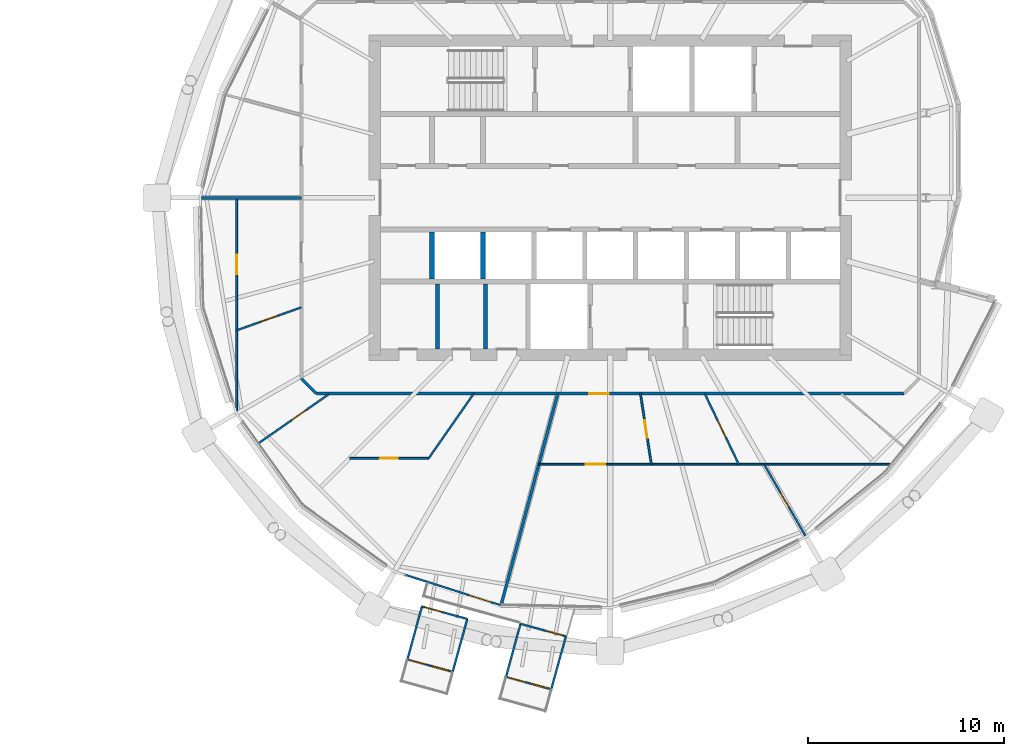
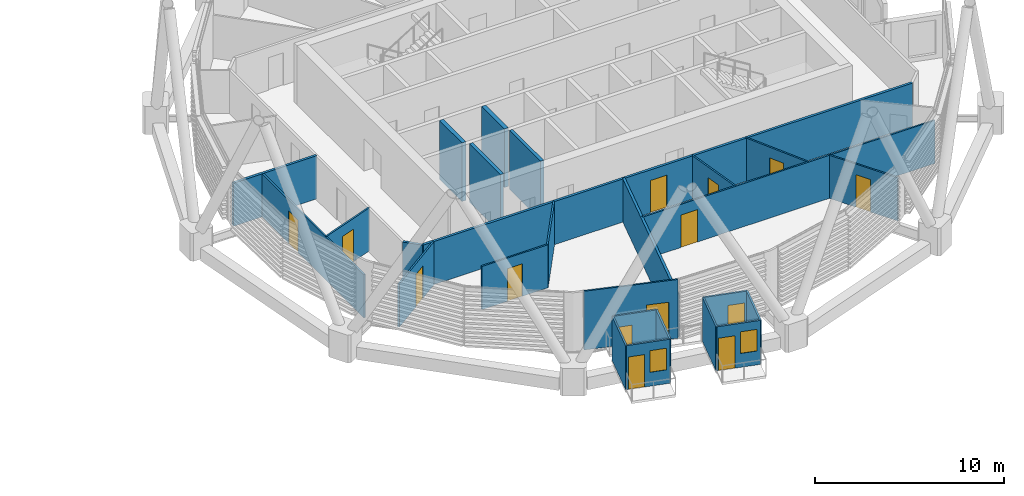
# One storey, part 24 of 37: 27 walls, 14 doors, 2 windows, 16 openings.
"""IFC4 building model written with IfcOpenShell, lengths in metres."""

import ifcopenshell
import ifcopenshell.guid

model = None  # the IFC model being written
_history = None  # IfcOwnerHistory: only IFC2X3 demands one
_inside = {}  # id of a spatial element -> (the spatial element, [elements in it])
_under = {}  # id of a project, library or spatial element -> (it, [spatial elements below it])
_declared = {}  # id of a project -> (the project, [libraries it declares])
_typed = {}  # id of a type object -> (the type object, [elements of that type])
_made_of = {}  # id of a material, layer set ... -> (it, [elements and type objects made of it])


def new_model(schema):
    """Start an empty IFC model of exactly this schema.

    Asked for "IFC4X3", IfcOpenShell would pick the latest addendum, in which some entities
    have other attributes; the version numbers below select the first issue.
    IFC2X3 requires an IfcOwnerHistory on every rooted entity: one is made here for all.
    """
    global model, _history
    if schema == "IFC4X3":
        model = ifcopenshell.file(schema_version=(4, 3, 0, 0))
    else:
        model = ifcopenshell.file(schema=schema)
    _inside.clear()
    _under.clear()
    _declared.clear()
    _typed.clear()
    _made_of.clear()
    _history = None
    if model.schema == "IFC2X3":
        org = make("IfcOrganization", Name="unknown")
        user = make(
            "IfcPersonAndOrganization",
            ThePerson=make("IfcPerson", FamilyName="unknown"),
            TheOrganization=org,
        )
        app = make(
            "IfcApplication",
            ApplicationDeveloper=org,
            Version="unknown",
            ApplicationFullName="unknown",
            ApplicationIdentifier="unknown",
        )
        _history = make(
            "IfcOwnerHistory",
            OwningUser=user,
            OwningApplication=app,
            ChangeAction="ADDED",
            CreationDate=0,
        )
    return model


def make(cls, **values):
    """One entity of the class cls with the attributes given. An attribute that is None is left unset."""
    return model.create_entity(
        cls, **{name: value for name, value in values.items() if value is not None}
    )


def rooted(cls, **values):
    """An entity with a GlobalId (a new one), such as an element, a storey or a relation."""
    return make(cls, GlobalId=ifcopenshell.guid.new(), OwnerHistory=_history, **values)


def si_unit(unit_type, name, prefix=None):
    """IfcSIUnit, for example si_unit("LENGTHUNIT", "METRE", prefix="MILLI")."""
    return make("IfcSIUnit", UnitType=unit_type, Prefix=prefix, Name=name)


def assignment(units):
    """IfcUnitAssignment: the units of a project."""
    return None if units is None else make("IfcUnitAssignment", Units=units)


def point(xyz):
    """IfcCartesianPoint."""
    return None if xyz is None else make("IfcCartesianPoint", Coordinates=xyz)


def direction(xyz):
    """IfcDirection."""
    return None if xyz is None else make("IfcDirection", DirectionRatios=xyz)


def frame(location, z_axis=None, x_axis=None):
    """IfcAxis2Placement3D, a coordinate frame: its origin and axes. An axis left out is left unset."""
    return make(
        "IfcAxis2Placement3D",
        Location=point(location),
        Axis=direction(z_axis),
        RefDirection=direction(x_axis),
    )


def frame_2d(location, x_axis=None):
    """IfcAxis2Placement2D, a coordinate frame in the plane: its origin and x axis."""
    return make(
        "IfcAxis2Placement2D", Location=point(location), RefDirection=direction(x_axis)
    )


def origin():
    """The frame at (0, 0, 0) with its axes left unset."""
    return frame((0.0, 0.0, 0.0))


def place(relative_to, where):
    """IfcLocalPlacement: puts the frame where relative to a parent placement (None: the world)."""
    return make(
        "IfcLocalPlacement", PlacementRelTo=relative_to, RelativePlacement=where
    )


def context(
    kind, dimensions, precision=None, world=None, true_north=None, identifier=None
):
    """IfcGeometricRepresentationContext, for example the 3D "Model" context."""
    return make(
        "IfcGeometricRepresentationContext",
        ContextIdentifier=identifier,
        ContextType=kind,
        CoordinateSpaceDimension=dimensions,
        Precision=precision,
        WorldCoordinateSystem=world,
        TrueNorth=true_north,
    )


def subcontext(parent, identifier, kind, view, scale=None):
    """IfcGeometricRepresentationSubContext, for example "Body" below "Model"."""
    return make(
        "IfcGeometricRepresentationSubContext",
        ContextIdentifier=identifier,
        ContextType=kind,
        ParentContext=parent,
        TargetScale=scale,
        TargetView=view,
    )


def project(units=None, contexts=None):
    """IfcProject with its units and contexts."""
    return rooted(
        "IfcProject",
        Name="project",
        RepresentationContexts=contexts,
        UnitsInContext=assignment(units),
    )


def spatial(cls, under=None, at=None, **own):
    """A site, building, storey or space (cls), placed at a placement, below another one or the project."""
    s = rooted(cls, ObjectPlacement=at, **own)
    if under is not None:
        _under.setdefault(under.id(), (under, []))[1].append(s)
    return s


def profile(cls, at=None, kind="AREA", **sizes):
    """A parametric profile (cls). Its sizes go by their IFC names, for example OverallWidth=200.0."""
    return make(cls, ProfileType=kind, Position=at, **sizes)


def rectangle(**sizes):
    """IfcRectangleProfileDef."""
    return profile("IfcRectangleProfileDef", **sizes)


def extrude(swept, where, along, depth):
    """IfcExtrudedAreaSolid: the profile swept, set in the frame where, extruded along a direction by depth."""
    return make(
        "IfcExtrudedAreaSolid",
        SweptArea=swept,
        Position=where,
        ExtrudedDirection=direction(along),
        Depth=depth,
    )


def shape(context_of_items, identifier, shape_type, items):
    """IfcShapeRepresentation: the items that make up one representation, for example the "Body"."""
    return make(
        "IfcShapeRepresentation",
        ContextOfItems=context_of_items,
        RepresentationIdentifier=identifier,
        RepresentationType=shape_type,
        Items=items,
    )


def material(Name=None, Category=None):
    """IfcMaterial."""
    return make("IfcMaterial", Name=Name, Category=Category)


def layer(
    of_material, thickness, ventilated=None, Name=None, Category=None, Priority=None
):
    """IfcMaterialLayer: one layer of a wall or slab, of a material (None: an air gap)."""
    return make(
        "IfcMaterialLayer",
        Material=of_material,
        LayerThickness=thickness,
        IsVentilated=ventilated,
        Name=Name,
        Category=Category,
        Priority=Priority,
    )


def layer_set(layers, Name=None):
    """IfcMaterialLayerSet."""
    return make("IfcMaterialLayerSet", MaterialLayers=layers, LayerSetName=Name)


def made_of(thing, what):
    """Note that an element or type object is made of a material, layer set ...; save() writes the relation."""
    if what is not None:
        _made_of.setdefault(what.id(), (what, []))[1].append(thing)
    return thing


def type_object(cls, material=None, **own):
    """A type object (cls), such as IfcWallType, which elements share."""
    return made_of(rooted(cls, **own), material)


def element(
    cls,
    number,
    at=None,
    inside=None,
    cuts=None,
    type_object=None,
    material=None,
    context=None,
    identifier="Body",
    shape_type=None,
    held_by="IfcProductDefinitionShape",
    body=None,
    shapes=None,
    **own,
):
    """One element of the class cls, such as IfcWall. Its Tag is "e" and its number.

    at: its placement. inside: the storey or other place that contains it. cuts: it is an
    opening in that element (IfcRelVoidsElement). A single representation is given by context,
    identifier, shape_type and body (its items); several are given by shapes. held_by: the class
    of the entity that holds the representations. save() writes the other relations.
    """
    e = rooted(cls, Tag="e%d" % number, ObjectPlacement=at, **own)
    if body is not None:
        shapes = [shape(context, identifier, shape_type, body)]
    if shapes is not None:
        e.Representation = make(held_by, Representations=shapes)
    if inside is not None:
        _inside.setdefault(inside.id(), (inside, []))[1].append(e)
    if cuts is not None:
        rooted(
            "IfcRelVoidsElement", RelatingBuildingElement=cuts, RelatedOpeningElement=e
        )
    if type_object is not None:
        _typed.setdefault(type_object.id(), (type_object, []))[1].append(e)
    return made_of(e, material)


def fill(opening, filler):
    """IfcRelFillsElement: the door or window that sits in an opening."""
    return rooted(
        "IfcRelFillsElement",
        RelatingOpeningElement=opening,
        RelatedBuildingElement=filler,
    )


def aggregate(whole, parts):
    """IfcRelAggregates: a whole, such as a stair, and the parts it consists of."""
    return rooted("IfcRelAggregates", RelatingObject=whole, RelatedObjects=parts)


def save(model, path):
    """Write the relations noted so far, then the file.

    IfcRelAggregates (storeys below a building ...), IfcRelContainedInSpatialStructure (elements
    in a storey), IfcRelDefinesByType, IfcRelAssociatesMaterial and IfcRelDeclares: one each for
    every whole, place, type object, material and project.
    """
    for whole, parts in _under.values():
        aggregate(whole, parts)
    for where, things in _inside.values():
        rooted(
            "IfcRelContainedInSpatialStructure",
            RelatedElements=things,
            RelatingStructure=where,
        )
    for kind, things in _typed.values():
        rooted("IfcRelDefinesByType", RelatedObjects=things, RelatingType=kind)
    for what, things in _made_of.values():
        rooted("IfcRelAssociatesMaterial", RelatedObjects=things, RelatingMaterial=what)
    for by, libraries in _declared.values():
        rooted("IfcRelDeclares", RelatingContext=by, RelatedDefinitions=libraries)
    model.write(path)


model = new_model("IFC4")

# Units and contexts
model_context = context("Model", 3, precision=1e-05, world=origin(), true_north=direction((0.0, 1.0)))
body_context = subcontext(model_context, "Body", "Model", "MODEL_VIEW")
ifc_project = project(units=[si_unit("LENGTHUNIT", "METRE"), si_unit("AREAUNIT", "SQUARE_METRE"), si_unit("VOLUMEUNIT", "CUBIC_METRE"), si_unit("PLANEANGLEUNIT", "RADIAN"), si_unit("MASSUNIT", "GRAM", prefix="KILO")], contexts=[model_context])

# Site, building, storey
site_placement = place(None, origin())
site = spatial("IfcSite", under=ifc_project, at=site_placement, CompositionType="ELEMENT")
building_placement = place(site_placement, origin())
building = spatial("IfcBuilding", under=site, at=building_placement, Name="Rimbun Link Towers", CompositionType="ELEMENT")
storey_placement = place(building_placement, frame((0.0, 0.0, 170.300048828125)))
storey = spatial("IfcBuildingStorey", under=building, at=storey_placement, Name="L41", CompositionType="ELEMENT", Elevation=170.300048828125)

# Wall, openings, door, window
ifc_material_1 = material(Name="Terracotta-faced insulated sandwich panel", Category="masonry")
ifc_layer_1 = layer(ifc_material_1, 0.10009765625)
ifc_layer_set_1 = layer_set([ifc_layer_1], Name="CAPSULE entrance panel 100")
wall_type_1 = type_object("IfcWallType", Name="CAPSULE entrance panel 100", PredefinedType="STANDARD", material=ifc_layer_set_1)
wall_1_placement = place(storey_placement, frame((26.435791015625, -24.40576171875, 0.0), z_axis=(0.0, 0.0, 1.0), x_axis=(0.964309344108, -0.26477818805, 0.0)))
wall_1 = element("IfcWall", 1, at=wall_1_placement, inside=storey, type_object=wall_type_1, Name="CAPSULE D412.01 shell panel 2", PredefinedType="STANDARD", context=body_context, shape_type="SweptSolid", body=[
    extrude(rectangle(XDim=2.400146484375, YDim=0.10009765625, at=frame_2d((1.2001953125, 0.0))), origin(), (0.0, 0.0, 1.0), 2.849853515625),
])
opening_1_placement = place(wall_1_placement, frame((0.10009765625, 0.0, 0.0)))
opening_1 = element("IfcOpeningElement", 2, at=opening_1_placement, cuts=wall_1, Name="Opening CD41.01", PredefinedType="OPENING", context=body_context, shape_type="SweptSolid", body=[
    extrude(rectangle(XDim=0.89990234375, YDim=2.10009765625, at=frame_2d((0.449951171875, 1.050048828125))), frame((0.0, 0.06005859375, 0.0), z_axis=(0.0, -1.0, 0.0), x_axis=(1.0, 0.0, 0.0)), (0.0, 0.0, 1.0), 0.1201171875),
])
opening_2_placement = place(wall_1_placement, frame((1.300048828125, 0.0, 0.89990234375)))
opening_2 = element("IfcOpeningElement", 3, at=opening_2_placement, cuts=wall_1, Name="Opening CN41.01", PredefinedType="OPENING", context=body_context, shape_type="SweptSolid", body=[
    extrude(rectangle(XDim=0.89990234375, YDim=1.39990234375, at=frame_2d((0.449951171875, 0.699951171875))), frame((0.0, 0.06005859375, 0.0), z_axis=(0.0, -1.0, 0.0), x_axis=(1.0, 0.0, 0.0)), (0.0, 0.0, 1.0), 0.1201171875),
])
ifc_material_2 = material(Name="Aluminium framed insulated door leaf", Category="aluminium")
door_type_1 = type_object("IfcDoorType", Name="CAPSULE door single leaf 900X2100", OperationType="SINGLE_SWING_LEFT", PredefinedType="DOOR", material=ifc_material_2)
door_1_placement = place(opening_1_placement, origin())
door_1 = element("IfcDoor", 4, at=door_1_placement, inside=storey, type_object=door_type_1, Name="CAPSULE D412.01 door", OperationType="SINGLE_SWING_LEFT", OverallHeight=2.10009765625, OverallWidth=0.89990234375, PredefinedType="DOOR", context=body_context, shape_type="SweptSolid", body=[
    extrude(rectangle(XDim=0.89990234375, YDim=2.10009765625, at=frame_2d((0.449951171875, 1.050048828125))), frame((0.0, 0.02490234375, 0.0), z_axis=(0.0, -1.0, 0.0), x_axis=(1.0, 0.0, 0.0)), (0.0, 0.0, 1.0), 0.050048828125),
])
fill(opening_1, door_1)
ifc_material_3 = material(Name="Aluminium framed window, low-iron glass", Category="aluminium")
window_type = type_object("IfcWindowType", Name="CAPSULE window 900X1400", PartitioningType="SINGLE_PANEL", PredefinedType="WINDOW", material=ifc_material_3)
window_1_placement = place(opening_2_placement, origin())
window_1 = element("IfcWindow", 5, at=window_1_placement, inside=storey, type_object=window_type, Name="CAPSULE D412.01 window", OverallHeight=1.39990234375, OverallWidth=0.89990234375, PartitioningType="SINGLE_PANEL", PredefinedType="WINDOW", context=body_context, shape_type="SweptSolid", body=[
    extrude(rectangle(XDim=0.89990234375, YDim=1.39990234375, at=frame_2d((0.449951171875, 0.699951171875))), frame((0.0, 0.030029296875, 0.0), z_axis=(0.0, -1.0, 0.0), x_axis=(1.0, 0.0, 0.0)), (0.0, 0.0, 1.0), 0.06005859375),
])
fill(opening_2, window_1)

# Wall, opening, door
wall_2_placement = place(storey_placement, frame((29.49169921875, -22.34130859375, 0.0), z_axis=(0.0, 0.0, 1.0), x_axis=(-0.96427623078, 0.264898755665, 0.0)))
wall_2 = element("IfcWall", 6, at=wall_2_placement, inside=storey, type_object=wall_type_1, Name="CAPSULE D412.01 shell panel 4", PredefinedType="STANDARD", context=body_context, shape_type="SweptSolid", body=[
    extrude(rectangle(XDim=2.39990234375, YDim=0.10009765625, at=frame_2d((1.199951171875, 0.0))), origin(), (0.0, 0.0, 1.0), 2.849853515625),
])
opening_3_placement = place(wall_2_placement, frame((0.14990234375, 0.0, 0.0)))
opening_3 = element("IfcOpeningElement", 7, at=opening_3_placement, cuts=wall_2, Name="Opening CE41.01", PredefinedType="OPENING", context=body_context, shape_type="SweptSolid", body=[
    extrude(rectangle(XDim=0.89990234375, YDim=2.10009765625, at=frame_2d((0.449951171875, 1.050048828125))), frame((0.0, 0.06005859375, 0.0), z_axis=(0.0, -1.0, 0.0), x_axis=(1.0, 0.0, 0.0)), (0.0, 0.0, 1.0), 0.1201171875),
])
door_2_placement = place(opening_3_placement, origin())
door_2 = element("IfcDoor", 8, at=door_2_placement, inside=storey, type_object=door_type_1, Name="CAPSULE D412.01 inner door", OperationType="SINGLE_SWING_LEFT", OverallHeight=2.10009765625, OverallWidth=0.89990234375, PredefinedType="DOOR", context=body_context, shape_type="SweptSolid", body=[
    extrude(rectangle(XDim=0.89990234375, YDim=2.10009765625, at=frame_2d((0.449951171875, 1.050048828125))), frame((0.0, 0.02490234375, 0.0), z_axis=(0.0, -1.0, 0.0), x_axis=(1.0, 0.0, 0.0)), (0.0, 0.0, 1.0), 0.050048828125),
])
fill(opening_3, door_2)

# Wall, openings, door, window
wall_3_placement = place(storey_placement, frame((21.413818359375, -23.5166015625, 0.0), z_axis=(0.0, 0.0, 1.0), x_axis=(0.964309344108, -0.26477818805, 0.0)))
wall_3 = element("IfcWall", 9, at=wall_3_placement, inside=storey, type_object=wall_type_1, Name="CAPSULE D412.02 shell panel 2", PredefinedType="STANDARD", context=body_context, shape_type="SweptSolid", body=[
    extrude(rectangle(XDim=2.400146484375, YDim=0.10009765625, at=frame_2d((1.2001953125, 0.0))), origin(), (0.0, 0.0, 1.0), 2.849853515625),
])
opening_4_placement = place(wall_3_placement, frame((0.10009765625, 0.0, 0.0)))
opening_4 = element("IfcOpeningElement", 10, at=opening_4_placement, cuts=wall_3, Name="Opening CD41.02", PredefinedType="OPENING", context=body_context, shape_type="SweptSolid", body=[
    extrude(rectangle(XDim=0.89990234375, YDim=2.10009765625, at=frame_2d((0.449951171875, 1.050048828125))), frame((0.0, 0.06005859375, 0.0), z_axis=(0.0, -1.0, 0.0), x_axis=(1.0, 0.0, 0.0)), (0.0, 0.0, 1.0), 0.1201171875),
])
opening_5_placement = place(wall_3_placement, frame((1.300048828125, 0.0, 0.89990234375)))
opening_5 = element("IfcOpeningElement", 11, at=opening_5_placement, cuts=wall_3, Name="Opening CN41.02", PredefinedType="OPENING", context=body_context, shape_type="SweptSolid", body=[
    extrude(rectangle(XDim=0.89990234375, YDim=1.39990234375, at=frame_2d((0.449951171875, 0.699951171875))), frame((0.0, 0.06005859375, 0.0), z_axis=(0.0, -1.0, 0.0), x_axis=(1.0, 0.0, 0.0)), (0.0, 0.0, 1.0), 0.1201171875),
])
door_3_placement = place(opening_4_placement, origin())
door_3 = element("IfcDoor", 12, at=door_3_placement, inside=storey, type_object=door_type_1, Name="CAPSULE D412.02 door", OperationType="SINGLE_SWING_RIGHT", OverallHeight=2.10009765625, OverallWidth=0.89990234375, PredefinedType="DOOR", context=body_context, shape_type="SweptSolid", body=[
    extrude(rectangle(XDim=0.89990234375, YDim=2.10009765625, at=frame_2d((0.449951171875, 1.050048828125))), frame((0.0, 0.02490234375, 0.0), z_axis=(0.0, -1.0, 0.0), x_axis=(1.0, 0.0, 0.0)), (0.0, 0.0, 1.0), 0.050048828125),
])
fill(opening_4, door_3)
window_2_placement = place(opening_5_placement, origin())
window_2 = element("IfcWindow", 13, at=window_2_placement, inside=storey, type_object=window_type, Name="CAPSULE D412.02 window", OverallHeight=1.39990234375, OverallWidth=0.89990234375, PartitioningType="SINGLE_PANEL", PredefinedType="WINDOW", context=body_context, shape_type="SweptSolid", body=[
    extrude(rectangle(XDim=0.89990234375, YDim=1.39990234375, at=frame_2d((0.449951171875, 0.699951171875))), frame((0.0, 0.030029296875, 0.0), z_axis=(0.0, -1.0, 0.0), x_axis=(1.0, 0.0, 0.0)), (0.0, 0.0, 1.0), 0.06005859375),
])
fill(opening_5, window_2)

# Wall, opening, door
wall_4_placement = place(storey_placement, frame((24.4697265625, -21.4521484375, 0.0), z_axis=(0.0, 0.0, 1.0), x_axis=(-0.964302211697, 0.264804162575, 0.0)))
wall_4 = element("IfcWall", 14, at=wall_4_placement, inside=storey, type_object=wall_type_1, Name="CAPSULE D412.02 shell panel 4", PredefinedType="STANDARD", context=body_context, shape_type="SweptSolid", body=[
    extrude(rectangle(XDim=2.39990234375, YDim=0.10009765625, at=frame_2d((1.199951171875, 0.0))), origin(), (0.0, 0.0, 1.0), 2.849853515625),
])
opening_6_placement = place(wall_4_placement, frame((1.35009765625, 0.0, 0.0)))
opening_6 = element("IfcOpeningElement", 15, at=opening_6_placement, cuts=wall_4, Name="Opening CE41.02", PredefinedType="OPENING", context=body_context, shape_type="SweptSolid", body=[
    extrude(rectangle(XDim=0.89990234375, YDim=2.10009765625, at=frame_2d((0.449951171875, 1.050048828125))), frame((0.0, 0.06005859375, 0.0), z_axis=(0.0, -1.0, 0.0), x_axis=(1.0, 0.0, 0.0)), (0.0, 0.0, 1.0), 0.1201171875),
])
door_4_placement = place(opening_6_placement, origin())
door_4 = element("IfcDoor", 16, at=door_4_placement, inside=storey, type_object=door_type_1, Name="CAPSULE D412.02 inner door", OperationType="SINGLE_SWING_LEFT", OverallHeight=2.10009765625, OverallWidth=0.89990234375, PredefinedType="DOOR", context=body_context, shape_type="SweptSolid", body=[
    extrude(rectangle(XDim=0.89990234375, YDim=2.10009765625, at=frame_2d((0.449951171875, 1.050048828125))), frame((0.0, 0.02490234375, 0.0), z_axis=(0.0, -1.0, 0.0), x_axis=(1.0, 0.0, 0.0)), (0.0, 0.0, 1.0), 0.050048828125),
])
fill(opening_6, door_4)

# Walls
ifc_material_4 = material(Name="Terracotta-faced insulated sandwich panel", Category="masonry")
ifc_layer_2 = layer(ifc_material_4, 0.10009765625)
ifc_layer_set_2 = layer_set([ifc_layer_2], Name="CAPSULE shell panel 100")
wall_type_2 = type_object("IfcWallType", Name="CAPSULE shell panel 100", PredefinedType="STANDARD", material=ifc_layer_set_2)
wall_5_placement = place(storey_placement, frame((27.177490234375, -21.70556640625, 0.0), z_axis=(0.0, 0.0, 1.0), x_axis=(-0.264872773262, -0.964283368095, 0.0)))
element("IfcWall", 17, at=wall_5_placement, inside=storey, type_object=wall_type_2, Name="CAPSULE D412.01 shell panel 1", PredefinedType="STANDARD", context=body_context, shape_type="SweptSolid", body=[
    extrude(rectangle(XDim=2.80029296875, YDim=0.10009765625, at=frame_2d((1.400146484375, 0.0))), origin(), (0.0, 0.0, 1.0), 2.849853515625),
])
wall_6_placement = place(storey_placement, frame((28.750244140625, -25.041259765625, 0.0), z_axis=(0.0, 0.0, 1.0), x_axis=(0.264813965234, 0.964299519764, 0.0)))
element("IfcWall", 18, at=wall_6_placement, inside=storey, type_object=wall_type_2, Name="CAPSULE D412.01 shell panel 3", PredefinedType="STANDARD", context=body_context, shape_type="SweptSolid", body=[
    extrude(rectangle(XDim=2.7998046875, YDim=0.10009765625, at=frame_2d((1.39990234375, 0.0))), origin(), (0.0, 0.0, 1.0), 2.849853515625),
])
wall_7_placement = place(storey_placement, frame((22.155517578125, -20.816650390625, 0.0), z_axis=(0.0, 0.0, 1.0), x_axis=(-0.264895043593, -0.964277250525, 0.0)))
element("IfcWall", 19, at=wall_7_placement, inside=storey, type_object=wall_type_2, Name="CAPSULE D412.02 shell panel 1", PredefinedType="STANDARD", context=body_context, shape_type="SweptSolid", body=[
    extrude(rectangle(XDim=2.800048828125, YDim=0.10009765625, at=frame_2d((1.39990234375, 0.0))), origin(), (0.0, 0.0, 1.0), 2.849853515625),
])
wall_8_placement = place(storey_placement, frame((23.728271484375, -24.152099609375, 0.0), z_axis=(0.0, 0.0, 1.0), x_axis=(0.264813965234, 0.964299519764, 0.0)))
element("IfcWall", 20, at=wall_8_placement, inside=storey, type_object=wall_type_2, Name="CAPSULE D412.02 shell panel 3", PredefinedType="STANDARD", context=body_context, shape_type="SweptSolid", body=[
    extrude(rectangle(XDim=2.7998046875, YDim=0.10009765625, at=frame_2d((1.39990234375, 0.0))), origin(), (0.0, 0.0, 1.0), 2.849853515625),
])
ifc_material_5 = material(Name="Masonry blockwork", Category="masonry")
ifc_layer_3 = layer(ifc_material_5, 0.199951171875)
ifc_layer_set_3 = layer_set([ifc_layer_3], Name="Core partition 200")
wall_type_3 = type_object("IfcWallType", Name="Core partition 200", PredefinedType="PARTITIONING", material=ifc_layer_set_3)
for number, where, z_axis, x_axis, name in (
    (21, (22.949951171875, -4.39990234375, 0.0), (0.0, 0.0, 1.0), (0.0, -1.0, 0.0), "L41 T2 core wall C1"),
    (22, (25.39990234375, -4.39990234375, 0.0), (0.0, 0.0, 1.0), (0.0, -1.0, 0.0), "L41 T2 core wall C2"),
):
    element("IfcWall", number, at=place(storey_placement, frame(where, z_axis=z_axis, x_axis=x_axis)), inside=storey, type_object=wall_type_3, Name=name, PredefinedType="PARTITIONING", context=body_context, shape_type="SweptSolid", body=[
        extrude(rectangle(XDim=3.300048828125, YDim=0.199951171875, at=frame_2d((1.64990234375, 0.0))), origin(), (0.0, 0.0, 1.0), 3.800048828125),
    ])

# Wall, opening, door
ifc_material_6 = material(Name="Plasterboard on steel stud, mineral wool", Category="steel")
ifc_layer_4 = layer(ifc_material_6, 0.14990234375)
ifc_layer_set_4 = layer_set([ifc_layer_4], Name="Corridor wall EI 30 150 mm")
wall_type_4 = type_object("IfcWallType", Name="Corridor wall EI 30 150 mm", PredefinedType="PARTITIONING", material=ifc_layer_set_4)
wall_9_placement = place(storey_placement, frame((46.7236328125, -9.97509765625, 0.0), z_axis=(0.0, 0.0, 1.0), x_axis=(-1.0, 0.0, 0.0)))
wall_9 = element("IfcWall", 23, at=wall_9_placement, inside=storey, type_object=wall_type_4, Name="Corridor wall EI 30 150 mm", PredefinedType="PARTITIONING", context=body_context, shape_type="SweptSolid", body=[
    extrude(rectangle(XDim=29.947265625, YDim=0.14990234375, at=frame_2d((14.9736328125, 0.0))), origin(), (0.0, 0.0, 1.0), 2.7890625),
])
opening_7_placement = place(wall_9_placement, frame((15.04052734375, 0.0, 0.0)))
opening_7 = element("IfcOpeningElement", 24, at=opening_7_placement, cuts=wall_9, Name="Opening D01", PredefinedType="OPENING", context=body_context, shape_type="SweptSolid", body=[
    extrude(rectangle(XDim=1.0, YDim=2.10009765625, at=frame_2d((0.5, 1.050048828125))), frame((0.0, 0.0849609375, 0.0), z_axis=(0.0, -1.0, 0.0), x_axis=(1.0, 0.0, 0.0)), (0.0, 0.0, 1.0), 0.169921875),
])
ifc_material_7 = material(Name="Fire-resisting timber door leaf", Category="wood")
door_type_2 = type_object("IfcDoorType", Name="Fire door FD30S 1000", OperationType="NOTDEFINED", PredefinedType="DOOR", material=ifc_material_7)
door_5_placement = place(opening_7_placement, origin())
door_5 = element("IfcDoor", 25, at=door_5_placement, inside=storey, type_object=door_type_2, Name="Fire door FD30S 1000 to Tenant lobby", OperationType="SINGLE_SWING_RIGHT", OverallHeight=2.10009765625, OverallWidth=1.0, PredefinedType="DOOR", context=body_context, shape_type="SweptSolid", body=[
    extrude(rectangle(XDim=1.0, YDim=2.10009765625, at=frame_2d((0.5, 1.050048828125))), frame((0.0, 0.02490234375, 0.0), z_axis=(0.0, -1.0, 0.0), x_axis=(1.0, 0.0, 0.0)), (0.0, 0.0, 1.0), 0.050048828125),
])
fill(opening_7, door_5)

# Wall
wall_10_placement = place(storey_placement, frame((16.014892578125, -9.213623046875, 0.0), z_axis=(0.0, 0.0, 1.0), x_axis=(0.707106781187, -0.707106781187, 0.0)))
element("IfcWall", 26, at=wall_10_placement, inside=storey, type_object=wall_type_4, Name="Corridor wall EI 30 150 mm", PredefinedType="PARTITIONING", context=body_context, shape_type="SweptSolid", body=[
    extrude(rectangle(XDim=1.076904296875, YDim=0.14990234375, at=frame_2d((0.53857421875, 0.0))), origin(), (0.0, 0.0, 1.0), 2.7890625),
])

# Wall, opening, door
ifc_material_8 = material(Name="Aluminium framed insulated infill panel", Category="aluminium")
ifc_layer_5 = layer(ifc_material_8, 0.10009765625)
ifc_layer_set_5 = layer_set([ifc_layer_5], Name="ED framed infill wall 100")
wall_type_5 = type_object("IfcWallType", Name="ED framed infill wall 100", PredefinedType="STANDARD", material=ifc_layer_set_5)
wall_11_placement = place(storey_placement, frame((26.164794921875, -20.7578125, 0.0), z_axis=(0.0, 0.0, 1.0), x_axis=(-0.95296480824, 0.303080969801, 0.0)))
wall_11 = element("IfcWall", 27, at=wall_11_placement, inside=storey, type_object=wall_type_5, Name="Framed door bay wall", PredefinedType="STANDARD", context=body_context, shape_type="SweptSolid", body=[
    extrude(rectangle(XDim=5.092529296875, YDim=0.10009765625, at=frame_2d((2.54638671875, 0.0))), origin(), (0.0, 0.0, 1.0), 3.800048828125),
])
opening_8_placement = place(wall_11_placement, frame((0.5009765625, 0.0, 0.0)))
opening_8 = element("IfcOpeningElement", 28, at=opening_8_placement, cuts=wall_11, Name="Opening ED93", PredefinedType="OPENING", context=body_context, shape_type="SweptSolid", body=[
    extrude(rectangle(XDim=1.199951171875, YDim=2.39990234375, at=frame_2d((0.60009765625, 1.199951171875))), frame((0.0, 0.06005859375, 0.0), z_axis=(0.0, -1.0, 0.0), x_axis=(1.0, 0.0, 0.0)), (0.0, 0.0, 1.0), 0.1201171875),
])
ifc_material_9 = material(Name="Aluminium framed glazed door, low-iron glass", Category="aluminium")
door_type_3 = type_object("IfcDoorType", Name="ED terrace door double leaf 1200X2400", OperationType="DOUBLE_DOOR_SINGLE_SWING", PredefinedType="DOOR", material=ifc_material_9)
door_6_placement = place(opening_8_placement, origin())
door_6 = element("IfcDoor", 29, at=door_6_placement, inside=storey, type_object=door_type_3, Name="Terrace door", OperationType="SINGLE_SWING_LEFT", OverallHeight=2.39990234375, OverallWidth=1.199951171875, PredefinedType="DOOR", context=body_context, shape_type="SweptSolid", body=[
    extrude(rectangle(XDim=1.199951171875, YDim=2.39990234375, at=frame_2d((0.60009765625, 1.199951171875))), frame((0.0, 0.02490234375, 0.0), z_axis=(0.0, -1.0, 0.0), x_axis=(1.0, 0.0, 0.0)), (0.0, 0.0, 1.0), 0.050048828125),
])
fill(opening_8, door_6)

ifc_material_10 = material(Name="Plasterboard on steel stud", Category="steel")
ifc_layer_6 = layer(ifc_material_10, 0.10009765625)
ifc_layer_set_6 = layer_set([ifc_layer_6], Name="Plasterboard partition 100 mm")
wall_type_6 = type_object("IfcWallType", Name="Plasterboard partition 100 mm", PredefinedType="PARTITIONING", material=ifc_layer_set_6)
wall_12_placement = place(storey_placement, frame((16.014892578125, -5.582275390625, 0.0), z_axis=(0.0, 0.0, 1.0), x_axis=(-0.942427745481, -0.334409845171, 0.0)))
wall_12 = element("IfcWall", 30, at=wall_12_placement, inside=storey, type_object=wall_type_6, Name="Plasterboard partition 100 mm", PredefinedType="PARTITIONING", context=body_context, shape_type="SweptSolid", body=[
    extrude(rectangle(XDim=3.50146484375, YDim=0.10009765625, at=frame_2d((1.750732421875, 0.0))), origin(), (0.0, 0.0, 1.0), 2.7890625),
])
opening_9_placement = place(wall_12_placement, frame((1.30078125, 0.0, 0.0)))
opening_9 = element("IfcOpeningElement", 31, at=opening_9_placement, cuts=wall_12, Name="Opening D04", PredefinedType="OPENING", context=body_context, shape_type="SweptSolid", body=[
    extrude(rectangle(XDim=0.89990234375, YDim=2.10009765625, at=frame_2d((0.449951171875, 1.050048828125))), frame((0.0, 0.06005859375, 0.0), z_axis=(0.0, -1.0, 0.0), x_axis=(1.0, 0.0, 0.0)), (0.0, 0.0, 1.0), 0.1201171875),
])
ifc_material_11 = material(Name="Timber door leaf", Category="wood")
door_type_4 = type_object("IfcDoorType", Name="Flush door 900", OperationType="NOTDEFINED", PredefinedType="DOOR", material=ifc_material_11)
door_7_placement = place(opening_9_placement, origin())
door_7 = element("IfcDoor", 32, at=door_7_placement, inside=storey, type_object=door_type_4, Name="Flush door 900 to Huddle room", OperationType="SINGLE_SWING_RIGHT", OverallHeight=2.10009765625, OverallWidth=0.89990234375, PredefinedType="DOOR", context=body_context, shape_type="SweptSolid", body=[
    extrude(rectangle(XDim=0.89990234375, YDim=2.10009765625, at=frame_2d((0.449951171875, 1.050048828125))), frame((0.0, 0.02490234375, 0.0), z_axis=(0.0, -1.0, 0.0), x_axis=(1.0, 0.0, 0.0)), (0.0, 0.0, 1.0), 0.050048828125),
])
fill(opening_9, door_7)

wall_13_placement = place(storey_placement, frame((12.715087890625, -10.852294921875, 0.0), z_axis=(0.0, 0.0, 1.0), x_axis=(0.0, 1.0, 0.0)))
wall_13 = element("IfcWall", 33, at=wall_13_placement, inside=storey, type_object=wall_type_6, Name="Plasterboard partition 100 mm", PredefinedType="PARTITIONING", context=body_context, shape_type="SweptSolid", body=[
    extrude(rectangle(XDim=10.852294921875, YDim=0.10009765625, at=frame_2d((5.42626953125, 0.0))), origin(), (0.0, 0.0, 1.0), 2.7890625),
])
opening_10_placement = place(wall_13_placement, frame((6.960693359375, 0.0, 0.0)))
opening_10 = element("IfcOpeningElement", 34, at=opening_10_placement, cuts=wall_13, Name="Opening D03", PredefinedType="OPENING", context=body_context, shape_type="SweptSolid", body=[
    extrude(rectangle(XDim=1.0, YDim=2.10009765625, at=frame_2d((0.5, 1.050048828125))), frame((0.0, 0.06005859375, 0.0), z_axis=(0.0, -1.0, 0.0), x_axis=(1.0, 0.0, 0.0)), (0.0, 0.0, 1.0), 0.1201171875),
])
ifc_material_12 = material(Name="Timber door leaf", Category="wood")
door_type_5 = type_object("IfcDoorType", Name="Flush door 1000", OperationType="NOTDEFINED", PredefinedType="DOOR", material=ifc_material_12)
door_8_placement = place(opening_10_placement, origin())
door_8 = element("IfcDoor", 35, at=door_8_placement, inside=storey, type_object=door_type_5, Name="Flush door 1000 to Open office", OperationType="SINGLE_SWING_LEFT", OverallHeight=2.10009765625, OverallWidth=1.0, PredefinedType="DOOR", context=body_context, shape_type="SweptSolid", body=[
    extrude(rectangle(XDim=1.0, YDim=2.10009765625, at=frame_2d((0.5, 1.050048828125))), frame((0.0, 0.02490234375, 0.0), z_axis=(0.0, -1.0, 0.0), x_axis=(1.0, 0.0, 0.0)), (0.0, 0.0, 1.0), 0.050048828125),
])
fill(opening_10, door_8)

wall_14_placement = place(storey_placement, frame((17.415771484375, -10.0048828125, 0.0), z_axis=(0.0, 0.0, 1.0), x_axis=(-0.819993771432, -0.572372444141, 0.0)))
wall_14 = element("IfcWall", 36, at=wall_14_placement, inside=storey, type_object=wall_type_6, Name="Plasterboard partition 100 mm", PredefinedType="PARTITIONING", context=body_context, shape_type="SweptSolid", body=[
    extrude(rectangle(XDim=4.36181640625, YDim=0.10009765625, at=frame_2d((2.180908203125, 0.0))), origin(), (0.0, 0.0, 1.0), 2.7890625),
])
opening_11_placement = place(wall_14_placement, frame((1.41845703125, 0.0, 0.0)))
opening_11 = element("IfcOpeningElement", 37, at=opening_11_placement, cuts=wall_14, Name="Opening D04", PredefinedType="OPENING", context=body_context, shape_type="SweptSolid", body=[
    extrude(rectangle(XDim=0.89990234375, YDim=2.10009765625, at=frame_2d((0.449951171875, 1.050048828125))), frame((0.0, 0.06005859375, 0.0), z_axis=(0.0, -1.0, 0.0), x_axis=(1.0, 0.0, 0.0)), (0.0, 0.0, 1.0), 0.1201171875),
])
door_9_placement = place(opening_11_placement, origin())
door_9 = element("IfcDoor", 38, at=door_9_placement, inside=storey, type_object=door_type_4, Name="Flush door 900 to Huddle room", OperationType="SINGLE_SWING_LEFT", OverallHeight=2.10009765625, OverallWidth=0.89990234375, PredefinedType="DOOR", context=body_context, shape_type="SweptSolid", body=[
    extrude(rectangle(XDim=0.89990234375, YDim=2.10009765625, at=frame_2d((0.449951171875, 1.050048828125))), frame((0.0, 0.02490234375, 0.0), z_axis=(0.0, -1.0, 0.0), x_axis=(1.0, 0.0, 0.0)), (0.0, 0.0, 1.0), 0.050048828125),
])
fill(opening_11, door_9)

wall_15_placement = place(storey_placement, frame((22.49853515625, -13.27490234375, 0.0), z_axis=(0.0, 0.0, 1.0), x_axis=(-1.0, 0.0, 0.0)))
wall_15 = element("IfcWall", 39, at=wall_15_placement, inside=storey, type_object=wall_type_6, Name="Plasterboard partition 100 mm", PredefinedType="PARTITIONING", context=body_context, shape_type="SweptSolid", body=[
    extrude(rectangle(XDim=4.0234375, YDim=0.10009765625, at=frame_2d((2.01171875, 0.0))), origin(), (0.0, 0.0, 1.0), 2.7890625),
])
opening_12_placement = place(wall_15_placement, frame((1.561767578125, 0.0, 0.0)))
opening_12 = element("IfcOpeningElement", 40, at=opening_12_placement, cuts=wall_15, Name="Opening D04", PredefinedType="OPENING", context=body_context, shape_type="SweptSolid", body=[
    extrude(rectangle(XDim=0.89990234375, YDim=2.10009765625, at=frame_2d((0.449951171875, 1.050048828125))), frame((0.0, 0.06005859375, 0.0), z_axis=(0.0, -1.0, 0.0), x_axis=(1.0, 0.0, 0.0)), (0.0, 0.0, 1.0), 0.1201171875),
])
door_10_placement = place(opening_12_placement, origin())
door_10 = element("IfcDoor", 41, at=door_10_placement, inside=storey, type_object=door_type_4, Name="Flush door 900 to Project room", OperationType="SINGLE_SWING_RIGHT", OverallHeight=2.10009765625, OverallWidth=0.89990234375, PredefinedType="DOOR", context=body_context, shape_type="SweptSolid", body=[
    extrude(rectangle(XDim=0.89990234375, YDim=2.10009765625, at=frame_2d((0.449951171875, 1.050048828125))), frame((0.0, 0.02490234375, 0.0), z_axis=(0.0, -1.0, 0.0), x_axis=(1.0, 0.0, 0.0)), (0.0, 0.0, 1.0), 0.050048828125),
])
fill(opening_12, door_10)

# Wall
wall_16_placement = place(storey_placement, frame((22.49853515625, -13.27490234375, 0.0), z_axis=(0.0, 0.0, 1.0), x_axis=(0.571782757762, 0.820405069418, 0.0)))
element("IfcWall", 42, at=wall_16_placement, inside=storey, type_object=wall_type_6, Name="Plasterboard partition 100 mm", PredefinedType="PARTITIONING", context=body_context, shape_type="SweptSolid", body=[
    extrude(rectangle(XDim=4.022216796875, YDim=0.10009765625, at=frame_2d((2.01123046875, 0.0))), origin(), (0.0, 0.0, 1.0), 2.7890625),
])

# Wall, opening, door
wall_17_placement = place(storey_placement, frame((33.2890625, -9.97509765625, 0.0), z_axis=(0.0, 0.0, 1.0), x_axis=(0.152485287228, -0.98830574074, 0.0)))
wall_17 = element("IfcWall", 43, at=wall_17_placement, inside=storey, type_object=wall_type_6, Name="Plasterboard partition 100 mm", PredefinedType="PARTITIONING", context=body_context, shape_type="SweptSolid", body=[
    extrude(rectangle(XDim=3.642333984375, YDim=0.10009765625, at=frame_2d((1.8212890625, 0.0))), origin(), (0.0, 0.0, 1.0), 2.7890625),
])
opening_13_placement = place(wall_17_placement, frame((1.371337890625, 0.0, 0.0)))
opening_13 = element("IfcOpeningElement", 44, at=opening_13_placement, cuts=wall_17, Name="Opening D04", PredefinedType="OPENING", context=body_context, shape_type="SweptSolid", body=[
    extrude(rectangle(XDim=0.89990234375, YDim=2.10009765625, at=frame_2d((0.449951171875, 1.050048828125))), frame((0.0, 0.06005859375, 0.0), z_axis=(0.0, -1.0, 0.0), x_axis=(1.0, 0.0, 0.0)), (0.0, 0.0, 1.0), 0.1201171875),
])
door_11_placement = place(opening_13_placement, origin())
door_11 = element("IfcDoor", 45, at=door_11_placement, inside=storey, type_object=door_type_4, Name="Flush door 900 to Huddle room", OperationType="SINGLE_SWING_RIGHT", OverallHeight=2.10009765625, OverallWidth=0.89990234375, PredefinedType="DOOR", context=body_context, shape_type="SweptSolid", body=[
    extrude(rectangle(XDim=0.89990234375, YDim=2.10009765625, at=frame_2d((0.449951171875, 1.050048828125))), frame((0.0, 0.02490234375, 0.0), z_axis=(0.0, -1.0, 0.0), x_axis=(1.0, 0.0, 0.0)), (0.0, 0.0, 1.0), 0.050048828125),
])
fill(opening_13, door_11)

wall_18_placement = place(storey_placement, frame((39.58740234375, -13.574951171875, 0.0), z_axis=(0.0, 0.0, 1.0), x_axis=(-1.0, 0.0, 0.0)))
wall_18 = element("IfcWall", 46, at=wall_18_placement, inside=storey, type_object=wall_type_6, Name="Plasterboard partition 100 mm", PredefinedType="PARTITIONING", context=body_context, shape_type="SweptSolid", body=[
    extrude(rectangle(XDim=11.474853515625, YDim=0.10009765625, at=frame_2d((5.7373046875, 0.0))), origin(), (0.0, 0.0, 1.0), 2.7890625),
])
opening_14_placement = place(wall_18_placement, frame((8.093994140625, 0.0, 0.0)))
opening_14 = element("IfcOpeningElement", 47, at=opening_14_placement, cuts=wall_18, Name="Opening D03", PredefinedType="OPENING", context=body_context, shape_type="SweptSolid", body=[
    extrude(rectangle(XDim=1.0, YDim=2.10009765625, at=frame_2d((0.5, 1.050048828125))), frame((0.0, 0.06005859375, 0.0), z_axis=(0.0, -1.0, 0.0), x_axis=(1.0, 0.0, 0.0)), (0.0, 0.0, 1.0), 0.1201171875),
])
door_12_placement = place(opening_14_placement, origin())
door_12 = element("IfcDoor", 48, at=door_12_placement, inside=storey, type_object=door_type_5, Name="Flush door 1000 to Open office", OperationType="SINGLE_SWING_LEFT", OverallHeight=2.10009765625, OverallWidth=1.0, PredefinedType="DOOR", context=body_context, shape_type="SweptSolid", body=[
    extrude(rectangle(XDim=1.0, YDim=2.10009765625, at=frame_2d((0.5, 1.050048828125))), frame((0.0, 0.02490234375, 0.0), z_axis=(0.0, -1.0, 0.0), x_axis=(1.0, 0.0, 0.0)), (0.0, 0.0, 1.0), 0.050048828125),
])
fill(opening_14, door_12)

wall_19_placement = place(storey_placement, frame((36.561279296875, -9.97509765625, 0.0), z_axis=(0.0, 0.0, 1.0), x_axis=(0.434487689798, -0.900677771133, 0.0)))
wall_19 = element("IfcWall", 49, at=wall_19_placement, inside=storey, type_object=wall_type_6, Name="Plasterboard partition 100 mm", PredefinedType="PARTITIONING", context=body_context, shape_type="SweptSolid", body=[
    extrude(rectangle(XDim=3.996826171875, YDim=0.10009765625, at=frame_2d((1.99853515625, 0.0))), origin(), (0.0, 0.0, 1.0), 2.7890625),
])
opening_15_placement = place(wall_19_placement, frame((1.548583984375, 0.0, 0.0)))
opening_15 = element("IfcOpeningElement", 50, at=opening_15_placement, cuts=wall_19, Name="Opening D04", PredefinedType="OPENING", context=body_context, shape_type="SweptSolid", body=[
    extrude(rectangle(XDim=0.89990234375, YDim=2.10009765625, at=frame_2d((0.449951171875, 1.050048828125))), frame((0.0, 0.06005859375, 0.0), z_axis=(0.0, -1.0, 0.0), x_axis=(1.0, 0.0, 0.0)), (0.0, 0.0, 1.0), 0.1201171875),
])
door_13_placement = place(opening_15_placement, origin())
door_13 = element("IfcDoor", 51, at=door_13_placement, inside=storey, type_object=door_type_4, Name="Flush door 900 to Huddle room", OperationType="SINGLE_SWING_LEFT", OverallHeight=2.10009765625, OverallWidth=0.89990234375, PredefinedType="DOOR", context=body_context, shape_type="SweptSolid", body=[
    extrude(rectangle(XDim=0.89990234375, YDim=2.10009765625, at=frame_2d((0.449951171875, 1.050048828125))), frame((0.0, 0.02490234375, 0.0), z_axis=(0.0, -1.0, 0.0), x_axis=(1.0, 0.0, 0.0)), (0.0, 0.0, 1.0), 0.050048828125),
])
fill(opening_15, door_13)

# Wall
wall_20_placement = place(storey_placement, frame((39.58740234375, -13.574951171875, 0.0), z_axis=(0.0, 0.0, 1.0), x_axis=(1.0, 0.0, 0.0)))
element("IfcWall", 52, at=wall_20_placement, inside=storey, type_object=wall_type_6, Name="Plasterboard partition 100 mm", PredefinedType="PARTITIONING", context=body_context, shape_type="SweptSolid", body=[
    extrude(rectangle(XDim=6.442138671875, YDim=0.10009765625, at=frame_2d((3.22119140625, 0.0))), origin(), (0.0, 0.0, 1.0), 2.7890625),
])

# Wall, opening, door
wall_21_placement = place(storey_placement, frame((39.58740234375, -13.574951171875, 0.0), z_axis=(0.0, 0.0, 1.0), x_axis=(0.500025366346, -0.866010758022, 0.0)))
wall_21 = element("IfcWall", 53, at=wall_21_placement, inside=storey, type_object=wall_type_6, Name="Plasterboard partition 100 mm", PredefinedType="PARTITIONING", context=body_context, shape_type="SweptSolid", body=[
    extrude(rectangle(XDim=4.209228515625, YDim=0.10009765625, at=frame_2d((2.1044921875, 0.0))), origin(), (0.0, 0.0, 1.0), 2.7890625),
])
opening_16_placement = place(wall_21_placement, frame((1.654541015625, 0.0, 0.0)))
opening_16 = element("IfcOpeningElement", 54, at=opening_16_placement, cuts=wall_21, Name="Opening D04", PredefinedType="OPENING", context=body_context, shape_type="SweptSolid", body=[
    extrude(rectangle(XDim=0.89990234375, YDim=2.10009765625, at=frame_2d((0.449951171875, 1.050048828125))), frame((0.0, 0.06005859375, 0.0), z_axis=(0.0, -1.0, 0.0), x_axis=(1.0, 0.0, 0.0)), (0.0, 0.0, 1.0), 0.1201171875),
])
door_14_placement = place(opening_16_placement, origin())
door_14 = element("IfcDoor", 55, at=door_14_placement, inside=storey, type_object=door_type_4, Name="Flush door 900 to Project room", OperationType="SINGLE_SWING_RIGHT", OverallHeight=2.10009765625, OverallWidth=0.89990234375, PredefinedType="DOOR", context=body_context, shape_type="SweptSolid", body=[
    extrude(rectangle(XDim=0.89990234375, YDim=2.10009765625, at=frame_2d((0.449951171875, 1.050048828125))), frame((0.0, 0.02490234375, 0.0), z_axis=(0.0, -1.0, 0.0), x_axis=(1.0, 0.0, 0.0)), (0.0, 0.0, 1.0), 0.050048828125),
])
fill(opening_16, door_14)

# Walls
ifc_material_13 = material(Name="Concrete C60/75", Category="concrete")
ifc_layer_7 = layer(ifc_material_13, 0.25)
ifc_layer_set_7 = layer_set([ifc_layer_7], Name="Shaft wall 250")
wall_type_7 = type_object("IfcWallType", Name="Shaft wall 250", PredefinedType="SHEAR", material=ifc_layer_set_7)
for number, where, z_axis, x_axis, name in (
    (56, (22.66943359375, -4.14990234375, 0.0), (0.0, 0.0, 1.0), (0.0, 1.0, 0.0), "L41 T2 core wall DS0"),
    (57, (25.263916015625, -4.14990234375, 0.0), (0.0, 0.0, 1.0), (0.0, 1.0, 0.0), "L41 T2 core wall DS1"),
):
    element("IfcWall", number, at=place(storey_placement, frame(where, z_axis=z_axis, x_axis=x_axis)), inside=storey, type_object=wall_type_7, Name=name, PredefinedType="SHEAR", context=body_context, shape_type="SweptSolid", body=[
        extrude(rectangle(XDim=2.39990234375, YDim=0.25, at=frame_2d((1.199951171875, 0.0))), origin(), (0.0, 0.0, 1.0), 3.800048828125),
    ])
ifc_material_14 = material(Name="Plasterboard on steel stud, mineral wool", Category="steel")
ifc_layer_8 = layer(ifc_material_14, 0.14990234375)
ifc_layer_set_8 = layer_set([ifc_layer_8], Name="Tenancy separation wall EI 60 150 mm")
wall_type_8 = type_object("IfcWallType", Name="Tenancy separation wall EI 60 150 mm", PredefinedType="PARTITIONING", material=ifc_layer_set_8)
wall_22_placement = place(storey_placement, frame((16.014892578125, 0.0, 0.0), z_axis=(0.0, 0.0, 1.0), x_axis=(-1.0, 0.0, 0.0)))
element("IfcWall", 58, at=wall_22_placement, inside=storey, type_object=wall_type_8, Name="Tenancy separation wall EI 60 150 mm", PredefinedType="PARTITIONING", context=body_context, shape_type="SweptSolid", body=[
    extrude(rectangle(XDim=5.097900390625, YDim=0.14990234375, at=frame_2d((2.548828125, 0.0))), origin(), (0.0, 0.0, 1.0), 2.7890625),
])
wall_23_placement = place(storey_placement, frame((29.0771484375, -9.97509765625, 0.0), z_axis=(0.0, 0.0, 1.0), x_axis=(-0.258804856252, -0.965929628068, 0.0)))
element("IfcWall", 59, at=wall_23_placement, inside=storey, type_object=wall_type_8, Name="Tenancy separation wall EI 60 150 mm", PredefinedType="PARTITIONING", context=body_context, shape_type="SweptSolid", body=[
    extrude(rectangle(XDim=11.1201171875, YDim=0.14990234375, at=frame_2d((5.56005859375, 0.0))), origin(), (0.0, 0.0, 1.0), 2.7890625),
])

save(model, "model.ifc")
